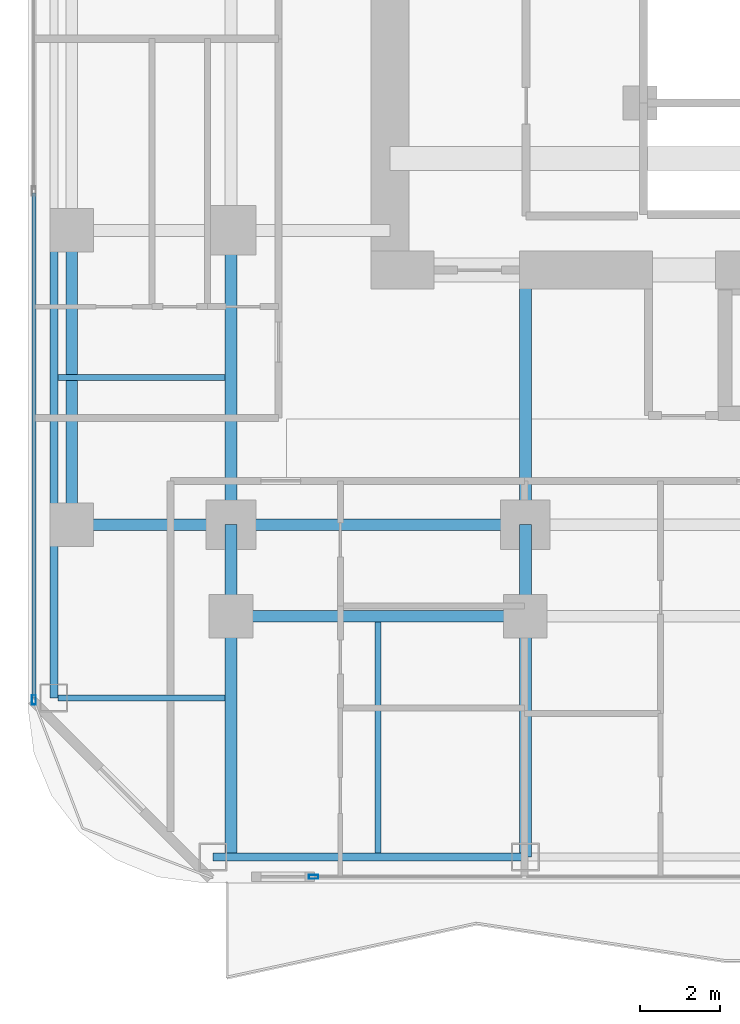
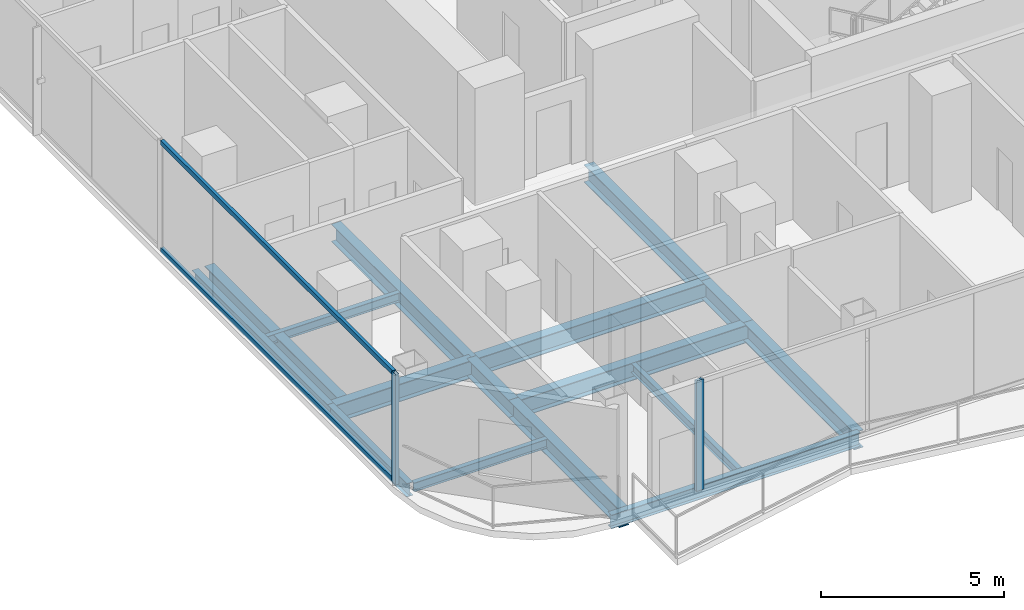
# One storey, part 2 of 29: 16 beams, 4 members, 2 elements without a shape of their own.
"""IFC4 building model written with IfcOpenShell, lengths in metres."""

from ifc_helpers import new_model, si_unit, direction, frame, origin, origin_2d, place, context, subcontext, project, spatial, hollow_rectangle, i_section, extrude, material, layer, layer_set, material_profile, profile_set, type_object, element, aggregate, save


model = new_model("IFC4")

# Units and contexts
model_context = context("Model", 3, precision=1e-05, world=origin(), true_north=direction((0.0, 1.0)))
body_context = subcontext(model_context, "Body", "Model", "MODEL_VIEW")
ifc_project = project(units=[si_unit("LENGTHUNIT", "METRE"), si_unit("AREAUNIT", "SQUARE_METRE"), si_unit("VOLUMEUNIT", "CUBIC_METRE"), si_unit("PLANEANGLEUNIT", "RADIAN"), si_unit("MASSUNIT", "GRAM", prefix="KILO")], contexts=[model_context])

# Site, building, storey
site_placement = place(None, origin())
site = spatial("IfcSite", under=ifc_project, at=site_placement, CompositionType="ELEMENT")
building_placement = place(site_placement, origin())
building = spatial("IfcBuilding", under=site, at=building_placement, Name="Khorvyn Point Tower", CompositionType="ELEMENT")
storey_placement = place(building_placement, frame((0.0, 0.0, 144.60009765625)))
storey = spatial("IfcBuildingStorey", under=building, at=storey_placement, Name="L36", CompositionType="ELEMENT", Elevation=144.60009765625)

# Curtain wall, member
ifc_material_1 = material(Name="Anodised aluminium 6063-T6 and laminated Low-E glass", Category="aluminium")
ifc_layer = layer(ifc_material_1, 0.18994140625)
ifc_layer_set = layer_set([ifc_layer], Name="Stick-Built Acoustic Curtain Wall CW-SYS-03")
curtain_wall_type = type_object("IfcCurtainWallType", Name="Stick-Built Acoustic Curtain Wall CW-SYS-03", PredefinedType="NOTDEFINED", material=ifc_layer_set)
curtain_wall_1_placement = place(storey_placement, origin())
curtain_wall_1 = element("IfcCurtainWall", 1, at=curtain_wall_1_placement, inside=storey, type_object=curtain_wall_type, Name="Curtain Wall", PredefinedType="NOTDEFINED")
ifc_material_2 = material(Name="Anodised aluminium 6063-T6", Category="aluminium")
ifc_material_profile_1 = material_profile(ifc_material_2, hollow_rectangle(XDim=0.10009765625, YDim=0.239990234375, WallThickness=0.0048828125, at=origin_2d()))
ifc_profile_set_1 = profile_set([ifc_material_profile_1], Name="Anodised aluminium 6063-T6 ALU-MUL-100x240")
member_type_1 = type_object("IfcMemberType", Name="Anodised Aluminium 6063-T6 Mullion ALU-MUL-100x240", PredefinedType="MULLION", material=ifc_profile_set_1)
member_1_placement = place(storey_placement, frame((-12.718994140625, -23.64990234375, 0.0), z_axis=(0.0, 0.0, 1.0), x_axis=(0.0, -1.0, 0.0)))
member_1 = element("IfcMember", 2, at=member_1_placement, type_object=member_type_1, Name="Transom", PredefinedType="MULLION", context=body_context, shape_type="SweptSolid", body=[
    extrude(hollow_rectangle(XDim=0.10009765625, YDim=0.239990234375, WallThickness=0.0048828125, at=origin_2d()), origin(), (0.0, 0.0, 1.0), 3.679931640625),
])
aggregate(curtain_wall_1, [member_1])

# Curtain wall, members
curtain_wall_2_placement = place(storey_placement, origin())
curtain_wall_2 = element("IfcCurtainWall", 3, at=curtain_wall_2_placement, inside=storey, type_object=curtain_wall_type, Name="Curtain Wall", PredefinedType="NOTDEFINED")
member_2_placement = place(storey_placement, frame((-19.75, -19.199951171875, 0.0), z_axis=(0.0, 0.0, 1.0), x_axis=(-1.0, 0.0, 0.0)))
member_2 = element("IfcMember", 4, at=member_2_placement, type_object=member_type_1, Name="Transom", PredefinedType="MULLION", context=body_context, shape_type="SweptSolid", body=[
    extrude(hollow_rectangle(XDim=0.10009765625, YDim=0.239990234375, WallThickness=0.0048828125, at=origin_2d()), origin(), (0.0, 0.0, 1.0), 3.679931640625),
])
ifc_material_profile_2 = material_profile(ifc_material_2, hollow_rectangle(XDim=0.10009765625, YDim=0.159912109375, WallThickness=0.00439453125, at=origin_2d()))
ifc_profile_set_2 = profile_set([ifc_material_profile_2], Name="Anodised aluminium 6063-T6 ALU-TRN-100x160")
member_type_2 = type_object("IfcMemberType", Name="Anodised Aluminium 6063-T6 Transom ALU-TRN-100x160", PredefinedType="USERDEFINED", material=ifc_profile_set_2)
member_3_placement = place(storey_placement, frame((-19.75, -19.14990234375, 0.0498046875), z_axis=(0.0, 1.0, 0.0), x_axis=(-1.0, 0.0, 0.0)))
member_3 = element("IfcMember", 5, at=member_3_placement, type_object=member_type_2, Name="Transom", ObjectType="TRANSOM", PredefinedType="USERDEFINED", context=body_context, shape_type="SweptSolid", body=[
    extrude(hollow_rectangle(XDim=0.10009765625, YDim=0.159912109375, WallThickness=0.00439453125, at=origin_2d()), origin(), (0.0, 0.0, 1.0), 12.683349609375),
])
member_4_placement = place(storey_placement, frame((-19.75, -19.14990234375, 3.6298828125), z_axis=(0.0, 1.0, 0.0), x_axis=(-1.0, 0.0, 0.0)))
member_4 = element("IfcMember", 6, at=member_4_placement, type_object=member_type_2, Name="Transom", ObjectType="TRANSOM", PredefinedType="USERDEFINED", context=body_context, shape_type="SweptSolid", body=[
    extrude(hollow_rectangle(XDim=0.10009765625, YDim=0.159912109375, WallThickness=0.00439453125, at=origin_2d()), origin(), (0.0, 0.0, 1.0), 12.683349609375),
])
aggregate(curtain_wall_2, [member_2, member_3, member_4])

# Beams
ifc_material_3 = material(Name="Steel S355", Category="steel")
ifc_material_profile_3 = material_profile(ifc_material_3, i_section(OverallWidth=0.300048828125, OverallDepth=0.587890625, WebThickness=0.011962890625, FlangeThickness=0.02001953125, at=origin_2d()))
ifc_profile_set_3 = profile_set([ifc_material_profile_3], Name="Steel S355 H588x300x12x20")
beam_type_1 = type_object("IfcBeamType", Name="Steel S355 Beam H588x300x12x20", PredefinedType="BEAM", material=ifc_profile_set_3)
beam_1_placement = place(storey_placement, frame((-19.25, -14.800048828125, -0.51416015625), z_axis=(1.0, 0.0, 0.0), x_axis=(0.0, 1.0, 0.0)))
element("IfcBeam", 7, at=beam_1_placement, inside=storey, type_object=beam_type_1, Name="Beam", PredefinedType="BEAM", context=body_context, shape_type="SweptSolid", body=[
    extrude(i_section(OverallWidth=0.300048828125, OverallDepth=0.587890625, WebThickness=0.011962890625, FlangeThickness=0.02001953125, at=origin_2d()), origin(), (0.0, 0.0, 1.0), 4.449951171875),
])
for number, where, z_axis, x_axis, name in (
    (8, (-14.800048828125, -14.800048828125, -0.51416015625), (1.0, 0.0, 0.0), (0.0, 1.0, 0.0), "Beam"),
    (9, (-14.800048828125, -17.10009765625, -0.51416015625), (1.0, 0.0, 0.0), (0.0, 1.0, 0.0), "Beam"),
):
    element("IfcBeam", number, at=place(storey_placement, frame(where, z_axis=z_axis, x_axis=x_axis)), inside=storey, type_object=beam_type_1, Name=name, PredefinedType="BEAM", context=body_context, shape_type="SweptSolid", body=[
        extrude(i_section(OverallWidth=0.300048828125, OverallDepth=0.587890625, WebThickness=0.011962890625, FlangeThickness=0.02001953125, at=origin_2d()), origin(), (0.0, 0.0, 1.0), 7.400146484375),
    ])
beam_2_placement = place(storey_placement, frame((-14.800048828125, -23.14990234375, -0.51416015625), z_axis=(0.0, 1.0, 0.0), x_axis=(-1.0, 0.0, 0.0)))
element("IfcBeam", 10, at=beam_2_placement, inside=storey, type_object=beam_type_1, Name="Beam", PredefinedType="BEAM", context=body_context, shape_type="SweptSolid", body=[
    extrude(i_section(OverallWidth=0.300048828125, OverallDepth=0.587890625, WebThickness=0.011962890625, FlangeThickness=0.02001953125, at=origin_2d()), origin(), (0.0, 0.0, 1.0), 6.0498046875),
])
beam_3_placement = place(storey_placement, frame((-14.800048828125, -17.10009765625, -0.51416015625), z_axis=(0.0, 1.0, 0.0), x_axis=(-1.0, 0.0, 0.0)))
element("IfcBeam", 11, at=beam_3_placement, inside=storey, type_object=beam_type_1, Name="Beam", PredefinedType="BEAM", context=body_context, shape_type="SweptSolid", body=[
    extrude(i_section(OverallWidth=0.300048828125, OverallDepth=0.587890625, WebThickness=0.011962890625, FlangeThickness=0.02001953125, at=origin_2d()), origin(), (0.0, 0.0, 1.0), 2.300048828125),
])
beam_4_placement = place(storey_placement, frame((-14.800048828125, -14.800048828125, -0.51416015625), z_axis=(0.0, 1.0, 0.0), x_axis=(-1.0, 0.0, 0.0)))
element("IfcBeam", 12, at=beam_4_placement, inside=storey, type_object=beam_type_1, Name="Beam", PredefinedType="BEAM", context=body_context, shape_type="SweptSolid", body=[
    extrude(i_section(OverallWidth=0.300048828125, OverallDepth=0.587890625, WebThickness=0.011962890625, FlangeThickness=0.02001953125, at=origin_2d()), origin(), (0.0, 0.0, 1.0), 7.400146484375),
])
beam_5_placement = place(storey_placement, frame((-7.39990234375, -23.14990234375, -0.51416015625), z_axis=(0.0, 1.0, 0.0), x_axis=(-1.0, 0.0, 0.0)))
element("IfcBeam", 13, at=beam_5_placement, inside=storey, type_object=beam_type_1, Name="Beam", PredefinedType="BEAM", context=body_context, shape_type="SweptSolid", body=[
    extrude(i_section(OverallWidth=0.300048828125, OverallDepth=0.587890625, WebThickness=0.011962890625, FlangeThickness=0.02001953125, at=origin_2d()), origin(), (0.0, 0.0, 1.0), 6.0498046875),
])
beam_6_placement = place(storey_placement, frame((-7.39990234375, -17.10009765625, -0.51416015625), z_axis=(0.0, 1.0, 0.0), x_axis=(-1.0, 0.0, 0.0)))
element("IfcBeam", 14, at=beam_6_placement, inside=storey, type_object=beam_type_1, Name="Beam", PredefinedType="BEAM", context=body_context, shape_type="SweptSolid", body=[
    extrude(i_section(OverallWidth=0.300048828125, OverallDepth=0.587890625, WebThickness=0.011962890625, FlangeThickness=0.02001953125, at=origin_2d()), origin(), (0.0, 0.0, 1.0), 2.300048828125),
])
beam_7_placement = place(storey_placement, frame((-7.39990234375, -14.800048828125, -0.51416015625), z_axis=(0.0, 1.0, 0.0), x_axis=(-1.0, 0.0, 0.0)))
element("IfcBeam", 15, at=beam_7_placement, inside=storey, type_object=beam_type_1, Name="Beam", PredefinedType="BEAM", context=body_context, shape_type="SweptSolid", body=[
    extrude(i_section(OverallWidth=0.300048828125, OverallDepth=0.587890625, WebThickness=0.011962890625, FlangeThickness=0.02001953125, at=origin_2d()), origin(), (0.0, 0.0, 1.0), 6.400146484375),
])
beam_8_placement = place(storey_placement, frame((-18.800048828125, -14.800048828125, -0.51416015625), z_axis=(0.0, 1.0, 0.0), x_axis=(-1.0, 0.0, 0.0)))
element("IfcBeam", 16, at=beam_8_placement, inside=storey, type_object=beam_type_1, Name="Beam", PredefinedType="BEAM", context=body_context, shape_type="SweptSolid", body=[
    extrude(i_section(OverallWidth=0.300048828125, OverallDepth=0.587890625, WebThickness=0.011962890625, FlangeThickness=0.02001953125, at=origin_2d()), origin(), (0.0, 0.0, 1.0), 7.400146484375),
])
ifc_material_profile_4 = material_profile(ifc_material_3, i_section(OverallWidth=0.14990234375, OverallDepth=0.300048828125, WebThickness=0.006591796875, FlangeThickness=0.009033203125, at=origin_2d()))
ifc_profile_set_4 = profile_set([ifc_material_profile_4], Name="Steel S355 H300x150x6.5x9")
beam_type_2 = type_object("IfcBeamType", Name="Steel S355 Joist H300x150x6.5x9", PredefinedType="JOIST", material=ifc_profile_set_4)
beam_9_placement = place(storey_placement, frame((-19.14990234375, -11.10009765625, -0.3701171875), z_axis=(1.0, 0.0, 0.0), x_axis=(0.0, 1.0, 0.0)))
element("IfcBeam", 17, at=beam_9_placement, inside=storey, type_object=beam_type_2, Name="Beam", PredefinedType="JOIST", context=body_context, shape_type="SweptSolid", body=[
    extrude(i_section(OverallWidth=0.14990234375, OverallDepth=0.300048828125, WebThickness=0.006591796875, FlangeThickness=0.009033203125, at=origin_2d()), origin(), (0.0, 0.0, 1.0), 4.199951171875),
])
beam_10_placement = place(storey_placement, frame((-11.10009765625, -23.050048828125, -0.3701171875), z_axis=(0.0, 1.0, 0.0), x_axis=(-1.0, 0.0, 0.0)))
element("IfcBeam", 18, at=beam_10_placement, inside=storey, type_object=beam_type_2, Name="Beam", PredefinedType="JOIST", context=body_context, shape_type="SweptSolid", body=[
    extrude(i_section(OverallWidth=0.14990234375, OverallDepth=0.300048828125, WebThickness=0.006591796875, FlangeThickness=0.009033203125, at=origin_2d()), origin(), (0.0, 0.0, 1.0), 5.800048828125),
])
beam_11_placement = place(storey_placement, frame((-19.14990234375, -19.14990234375, -0.3701171875), z_axis=(1.0, 0.0, 0.0), x_axis=(0.0, 1.0, 0.0)))
element("IfcBeam", 19, at=beam_11_placement, inside=storey, type_object=beam_type_2, Name="Beam", PredefinedType="JOIST", context=body_context, shape_type="SweptSolid", body=[
    extrude(i_section(OverallWidth=0.14990234375, OverallDepth=0.300048828125, WebThickness=0.006591796875, FlangeThickness=0.009033203125, at=origin_2d()), origin(), (0.0, 0.0, 1.0), 4.199951171875),
])
ifc_material_profile_5 = material_profile(ifc_material_3, i_section(OverallWidth=0.199951171875, OverallDepth=0.449951171875, WebThickness=0.009033203125, FlangeThickness=0.013916015625, at=origin_2d()))
ifc_profile_set_5 = profile_set([ifc_material_profile_5], Name="Steel S355 H450x200x9x14")
beam_type_3 = type_object("IfcBeamType", Name="Steel S355 Spandrel H450x200x9x14", PredefinedType="SPANDREL", material=ifc_profile_set_5)
beam_12_placement = place(storey_placement, frame((-15.25, -23.14990234375, -0.445068359375), z_axis=(1.0, 0.0, 0.0), x_axis=(0.0, 1.0, 0.0)))
element("IfcBeam", 20, at=beam_12_placement, inside=storey, type_object=beam_type_3, Name="Beam", PredefinedType="SPANDREL", context=body_context, shape_type="SweptSolid", body=[
    extrude(i_section(OverallWidth=0.199951171875, OverallDepth=0.449951171875, WebThickness=0.009033203125, FlangeThickness=0.013916015625, at=origin_2d()), origin(), (0.0, 0.0, 1.0), 7.85009765625),
])
beam_13_placement = place(storey_placement, frame((-19.25, -19.14990234375, -0.445068359375), z_axis=(0.0, 1.0, 0.0), x_axis=(-1.0, 0.0, 0.0)))
element("IfcBeam", 21, at=beam_13_placement, inside=storey, type_object=beam_type_3, Name="Beam", PredefinedType="SPANDREL", context=body_context, shape_type="SweptSolid", body=[
    extrude(i_section(OverallWidth=0.199951171875, OverallDepth=0.449951171875, WebThickness=0.009033203125, FlangeThickness=0.013916015625, at=origin_2d()), origin(), (0.0, 0.0, 1.0), 4.349853515625),
])
beam_14_placement = place(storey_placement, frame((-19.25, -14.800048828125, -0.445068359375), z_axis=(0.0, 1.0, 0.0), x_axis=(-1.0, 0.0, 0.0)))
element("IfcBeam", 22, at=beam_14_placement, inside=storey, type_object=beam_type_3, Name="Beam", PredefinedType="SPANDREL", context=body_context, shape_type="SweptSolid", body=[
    extrude(i_section(OverallWidth=0.199951171875, OverallDepth=0.449951171875, WebThickness=0.009033203125, FlangeThickness=0.013916015625, at=origin_2d()), origin(), (0.0, 0.0, 1.0), 7.400146484375),
])

save(model, "model.ifc")
